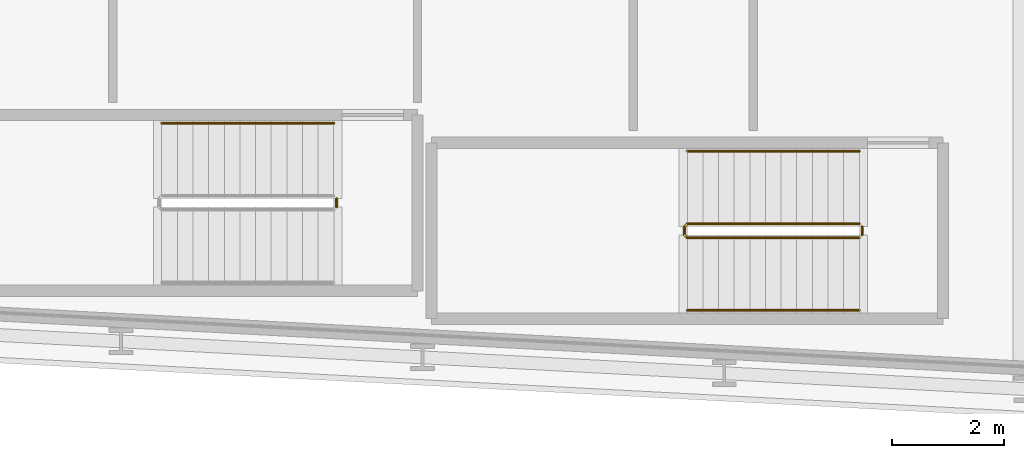
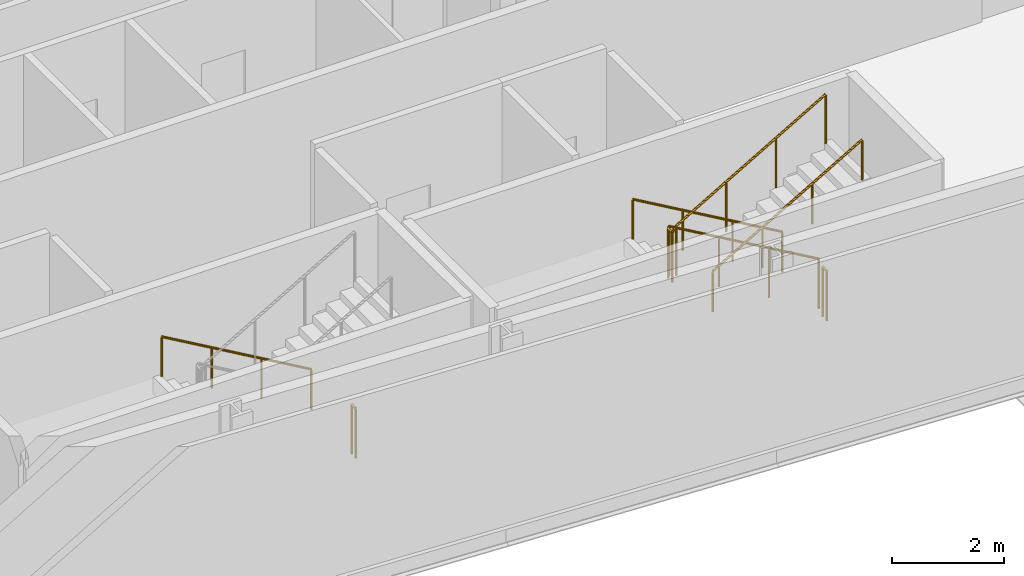
# One storey, part 26 of 29: 6 railings.
"""IFC4 building model written with IfcOpenShell, lengths in metres."""

from ifc_helpers import new_model, si_unit, direction, frame, origin, origin_2d, place, context, subcontext, project, spatial, circle, extrude, material, type_object, element, save


model = new_model("IFC4")

# Units and contexts
model_context = context("Model", 3, precision=1e-05, world=origin(), true_north=direction((0.0, 1.0)))
body_context = subcontext(model_context, "Body", "Model", "MODEL_VIEW")
ifc_project = project(units=[si_unit("LENGTHUNIT", "METRE"), si_unit("AREAUNIT", "SQUARE_METRE"), si_unit("VOLUMEUNIT", "CUBIC_METRE"), si_unit("PLANEANGLEUNIT", "RADIAN"), si_unit("MASSUNIT", "GRAM", prefix="KILO")], contexts=[model_context])

# Site, building, storey
site_placement = place(None, origin())
site = spatial("IfcSite", under=ifc_project, at=site_placement, CompositionType="ELEMENT")
building_placement = place(site_placement, origin())
building = spatial("IfcBuilding", under=site, at=building_placement, Name="Kheshtan School and Residences Tower", CompositionType="ELEMENT")
storey_placement = place(building_placement, frame((0.0, 0.0, 61.699951171875)))
storey = spatial("IfcBuildingStorey", under=building, at=storey_placement, Name="L14", CompositionType="ELEMENT", Elevation=61.699951171875)

# Railings
ifc_material_1 = material(Name="Stainless steel balustrade", Category="steel")
railing_type_1 = type_object("IfcRailingType", Name="Stair guard 1100", PredefinedType="GUARDRAIL", material=ifc_material_1)
railing_1_placement = place(storey_placement, frame((87.820068359375, 23.949951171875, 0.16259765625)))
element("IfcRailing", 1, at=railing_1_placement, inside=storey, type_object=railing_type_1, Name="L14 ST4 stair guard 1", PredefinedType="GUARDRAIL", context=body_context, shape_type="SweptSolid", body=[
    extrude(circle(Radius=0.02392578125, at=origin_2d()), frame((0.0, 0.0, 1.076171875), z_axis=(-0.864920483161, 0.0, 0.501908913857), x_axis=(0.0, -1.0, 0.0)), (0.0, 0.0, 1.0), 3.56103515625),
    extrude(circle(Radius=0.02392578125, at=origin_2d()), frame((-3.080078125, 0.0, 2.86328125), z_axis=(-0.707106781187, -0.707106781187, 0.0), x_axis=(0.707106781187, -0.707106781187, 0.0)), (0.0, 0.0, 1.0), 0.07080078125),
    extrude(circle(Radius=0.02392578125, at=origin_2d()), frame((-3.130126953125, -0.050048828125, 2.86328125), z_axis=(0.0, -1.0, 0.0), x_axis=(1.0, 0.0, 0.0)), (0.0, 0.0, 1.0), 0.14990234375),
    extrude(circle(Radius=0.02392578125, at=origin_2d()), frame((-3.130126953125, -0.199951171875, 2.86328125), z_axis=(0.282227285176, -0.282227285176, 0.916894497205), x_axis=(0.707106781187, 0.707106781187, 0.0)), (0.0, 0.0, 1.0), 0.17724609375),
    extrude(circle(Radius=0.02392578125, at=origin_2d()), frame((-3.080078125, -0.25, 3.02587890625), z_axis=(0.864890721111, 0.0, 0.501960198159), x_axis=(0.0, 1.0, 0.0)), (0.0, 0.0, 1.0), 3.561279296875),
    extrude(circle(Radius=0.02099609375, at=origin_2d()), origin(), (0.0, 0.0, 1.0), 1.052001953125),
    extrude(circle(Radius=0.02099609375, at=origin_2d()), frame((-1.026611328125, 0.0, 0.595703125)), (0.0, 0.0, 1.0), 1.052001953125),
    extrude(circle(Radius=0.02099609375, at=origin_2d()), frame((-2.053466796875, 0.0, 1.191650390625)), (0.0, 0.0, 1.0), 1.052001953125),
    extrude(circle(Radius=0.02099609375, at=origin_2d()), frame((-3.080078125, 0.0, 1.787353515625)), (0.0, 0.0, 1.0), 1.052001953125),
    extrude(circle(Radius=0.02099609375, at=origin_2d()), frame((-3.130126953125, -0.050048828125, 1.787353515625)), (0.0, 0.0, 1.0), 1.052001953125),
    extrude(circle(Radius=0.02099609375, at=origin_2d()), frame((-3.130126953125, -0.199951171875, 1.787353515625)), (0.0, 0.0, 1.0), 1.052001953125),
    extrude(circle(Radius=0.02099609375, at=origin_2d()), frame((-3.080078125, -0.25, 1.949951171875)), (0.0, 0.0, 1.0), 1.052001953125),
    extrude(circle(Radius=0.02099609375, at=origin_2d()), frame((-2.053466796875, -0.25, 2.5458984375)), (0.0, 0.0, 1.0), 1.052001953125),
    extrude(circle(Radius=0.02099609375, at=origin_2d()), frame((-1.026611328125, -0.25, 3.1416015625)), (0.0, 0.0, 1.0), 1.052001953125),
    extrude(circle(Radius=0.02099609375, at=origin_2d()), frame((0.0, -0.25, 3.737548828125)), (0.0, 0.0, 1.0), 1.052001953125),
])
for number, where, name in (
    (2, (87.8701171875, 23.89990234375, 0.0), "L14 ST4 stair guard 2"),
    (3, (78.4599609375, 24.39990234375, 0.0), "L14 ST5 stair guard 2"),
):
    element("IfcRailing", number, at=place(storey_placement, frame(where)), inside=storey, type_object=railing_type_1, Name=name, PredefinedType="GUARDRAIL", context=body_context, shape_type="SweptSolid", body=[
        extrude(circle(Radius=0.02392578125, at=origin_2d()), frame((0.0, 0.0, 1.076171875), z_axis=(0.0, -1.0, 0.0), x_axis=(1.0, 0.0, 0.0)), (0.0, 0.0, 1.0), 0.14990234375),
        extrude(circle(Radius=0.02099609375, at=origin_2d()), origin(), (0.0, 0.0, 1.0), 1.052001953125),
        extrude(circle(Radius=0.02099609375, at=origin_2d()), frame((0.0, -0.14990234375, 0.0)), (0.0, 0.0, 1.0), 1.052001953125),
    ])
ifc_material_2 = material(Name="Stainless steel handrail", Category="steel")
railing_type_2 = type_object("IfcRailingType", Name="Stair handrail 900", PredefinedType="HANDRAIL", material=ifc_material_2)
railing_2_placement = place(storey_placement, frame((87.820068359375, 25.25, 0.16259765625)))
element("IfcRailing", 4, at=railing_2_placement, inside=storey, type_object=railing_type_2, Name="L14 ST4 stair handrail 1", PredefinedType="HANDRAIL", context=body_context, shape_type="SweptSolid", body=[
    extrude(circle(Radius=0.02392578125, at=origin_2d()), frame((0.0, 0.0, 0.8759765625), z_axis=(-0.864920483161, 0.0, 0.501908913857), x_axis=(0.0, -1.0, 0.0)), (0.0, 0.0, 1.0), 3.56103515625),
    extrude(circle(Radius=0.02099609375, at=origin_2d()), origin(), (0.0, 0.0, 1.0), 0.851806640625),
    extrude(circle(Radius=0.02099609375, at=origin_2d()), frame((-1.026611328125, 0.0, 0.595703125)), (0.0, 0.0, 1.0), 0.851806640625),
    extrude(circle(Radius=0.02099609375, at=origin_2d()), frame((-2.053466796875, 0.0, 1.191650390625)), (0.0, 0.0, 1.0), 0.851806640625),
    extrude(circle(Radius=0.02099609375, at=origin_2d()), frame((-3.080078125, 0.0, 1.787353515625)), (0.0, 0.0, 1.0), 0.851806640625),
])
railing_3_placement = place(storey_placement, frame((84.739990234375, 22.39990234375, 2.112548828125)))
element("IfcRailing", 5, at=railing_3_placement, inside=storey, type_object=railing_type_2, Name="L14 ST4 stair handrail 2", PredefinedType="HANDRAIL", context=body_context, shape_type="SweptSolid", body=[
    extrude(circle(Radius=0.02392578125, at=origin_2d()), frame((0.0, 0.0, 0.8759765625), z_axis=(0.864890721111, 0.0, 0.501960198159), x_axis=(0.0, 1.0, 0.0)), (0.0, 0.0, 1.0), 3.561279296875),
    extrude(circle(Radius=0.02099609375, at=origin_2d()), origin(), (0.0, 0.0, 1.0), 0.851806640625),
    extrude(circle(Radius=0.02099609375, at=origin_2d()), frame((1.026611328125, 0.0, 0.595947265625)), (0.0, 0.0, 1.0), 0.851806640625),
    extrude(circle(Radius=0.02099609375, at=origin_2d()), frame((2.053466796875, 0.0, 1.191650390625)), (0.0, 0.0, 1.0), 0.851806640625),
    extrude(circle(Radius=0.02099609375, at=origin_2d()), frame((3.080078125, 0.0, 1.78759765625)), (0.0, 0.0, 1.0), 0.851806640625),
])
railing_4_placement = place(storey_placement, frame((78.409912109375, 25.75, 0.16259765625)))
element("IfcRailing", 6, at=railing_4_placement, inside=storey, type_object=railing_type_2, Name="L14 ST5 stair handrail 1", PredefinedType="HANDRAIL", context=body_context, shape_type="SweptSolid", body=[
    extrude(circle(Radius=0.02392578125, at=origin_2d()), frame((0.0, 0.0, 0.8759765625), z_axis=(-0.864903211148, 0.0, 0.501938676878), x_axis=(0.0, -1.0, 0.0)), (0.0, 0.0, 1.0), 3.560791015625),
    extrude(circle(Radius=0.02099609375, at=origin_2d()), origin(), (0.0, 0.0, 1.0), 0.851806640625),
    extrude(circle(Radius=0.02099609375, at=origin_2d()), frame((-1.026611328125, 0.0, 0.595703125)), (0.0, 0.0, 1.0), 0.851806640625),
    extrude(circle(Radius=0.02099609375, at=origin_2d()), frame((-2.05322265625, 0.0, 1.191650390625)), (0.0, 0.0, 1.0), 0.851806640625),
    extrude(circle(Radius=0.02099609375, at=origin_2d()), frame((-3.079833984375, 0.0, 1.787353515625)), (0.0, 0.0, 1.0), 0.851806640625),
])

save(model, "model.ifc")
